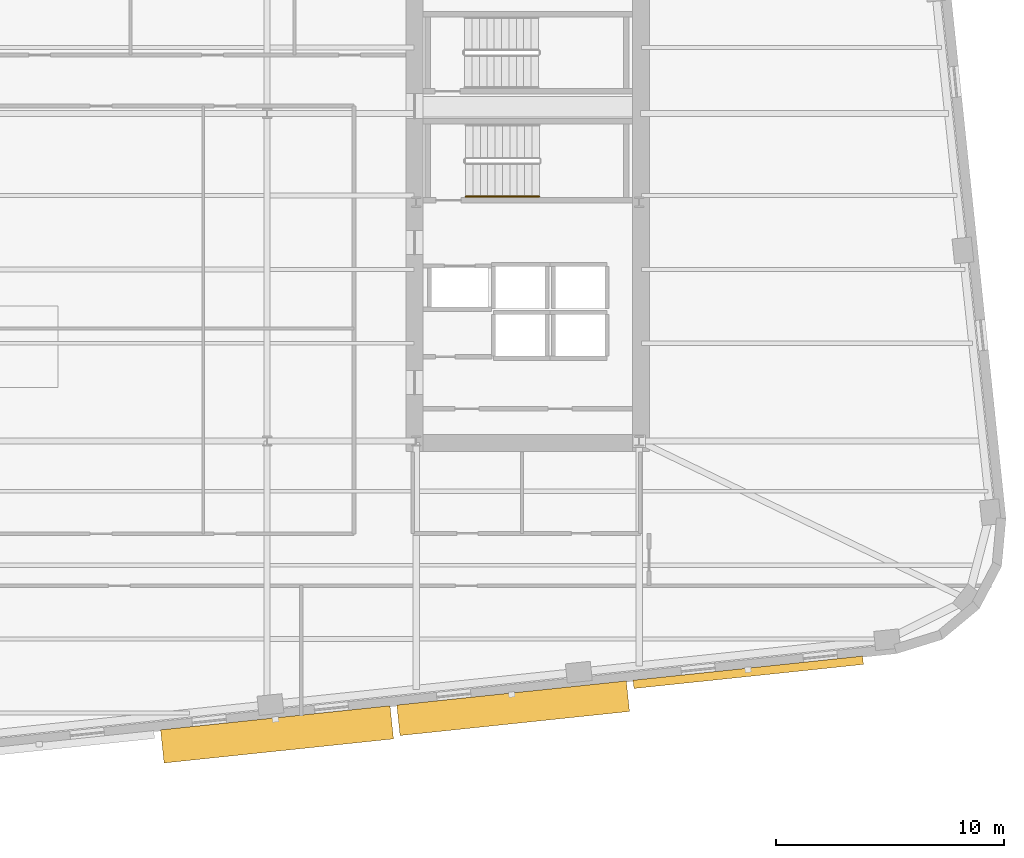
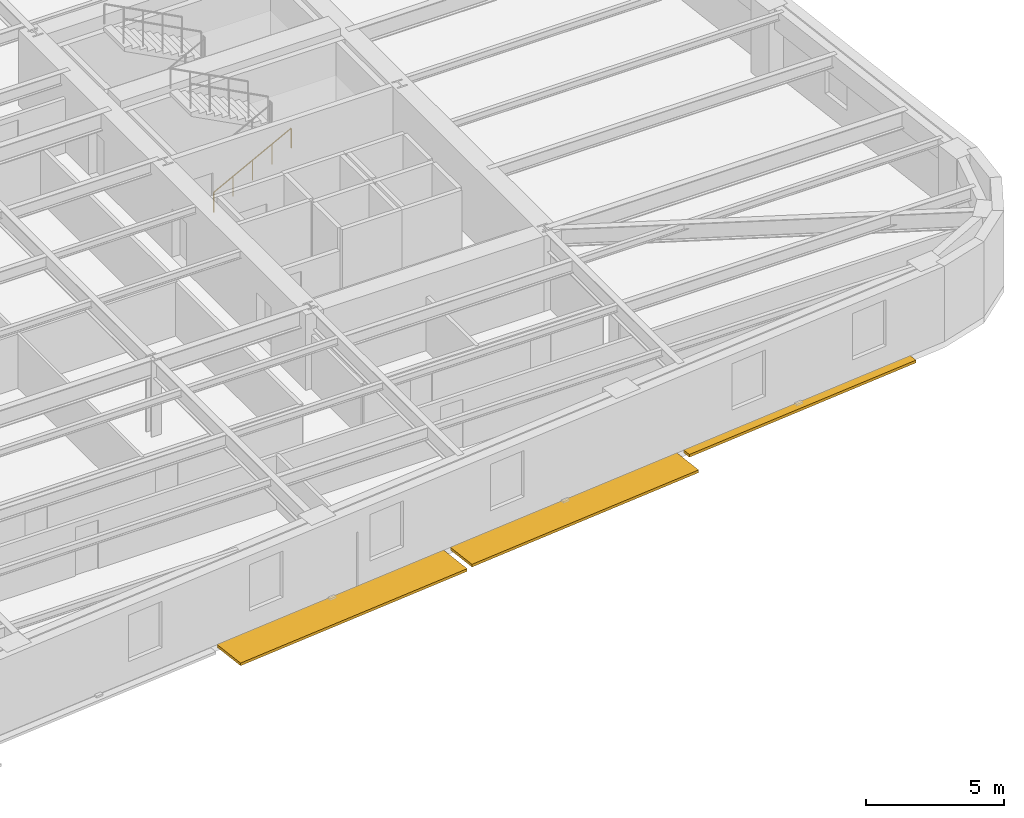
# One storey, part 9 of 12: 3 shading devices, 1 railing.
"""IFC4 building model written with IfcOpenShell, lengths in metres."""

import ifcopenshell
import ifcopenshell.guid

model = None  # the IFC model being written
_history = None  # IfcOwnerHistory: only IFC2X3 demands one
_inside = {}  # id of a spatial element -> (the spatial element, [elements in it])
_under = {}  # id of a project, library or spatial element -> (it, [spatial elements below it])
_declared = {}  # id of a project -> (the project, [libraries it declares])
_typed = {}  # id of a type object -> (the type object, [elements of that type])
_made_of = {}  # id of a material, layer set ... -> (it, [elements and type objects made of it])


def new_model(schema):
    """Start an empty IFC model of exactly this schema.

    Asked for "IFC4X3", IfcOpenShell would pick the latest addendum, in which some entities
    have other attributes; the version numbers below select the first issue.
    IFC2X3 requires an IfcOwnerHistory on every rooted entity: one is made here for all.
    """
    global model, _history
    if schema == "IFC4X3":
        model = ifcopenshell.file(schema_version=(4, 3, 0, 0))
    else:
        model = ifcopenshell.file(schema=schema)
    _inside.clear()
    _under.clear()
    _declared.clear()
    _typed.clear()
    _made_of.clear()
    _history = None
    if model.schema == "IFC2X3":
        org = make("IfcOrganization", Name="unknown")
        user = make(
            "IfcPersonAndOrganization",
            ThePerson=make("IfcPerson", FamilyName="unknown"),
            TheOrganization=org,
        )
        app = make(
            "IfcApplication",
            ApplicationDeveloper=org,
            Version="unknown",
            ApplicationFullName="unknown",
            ApplicationIdentifier="unknown",
        )
        _history = make(
            "IfcOwnerHistory",
            OwningUser=user,
            OwningApplication=app,
            ChangeAction="ADDED",
            CreationDate=0,
        )
    return model


def make(cls, **values):
    """One entity of the class cls with the attributes given. An attribute that is None is left unset."""
    return model.create_entity(
        cls, **{name: value for name, value in values.items() if value is not None}
    )


def rooted(cls, **values):
    """An entity with a GlobalId (a new one), such as an element, a storey or a relation."""
    return make(cls, GlobalId=ifcopenshell.guid.new(), OwnerHistory=_history, **values)


def si_unit(unit_type, name, prefix=None):
    """IfcSIUnit, for example si_unit("LENGTHUNIT", "METRE", prefix="MILLI")."""
    return make("IfcSIUnit", UnitType=unit_type, Prefix=prefix, Name=name)


def assignment(units):
    """IfcUnitAssignment: the units of a project."""
    return None if units is None else make("IfcUnitAssignment", Units=units)


def point(xyz):
    """IfcCartesianPoint."""
    return None if xyz is None else make("IfcCartesianPoint", Coordinates=xyz)


def direction(xyz):
    """IfcDirection."""
    return None if xyz is None else make("IfcDirection", DirectionRatios=xyz)


def frame(location, z_axis=None, x_axis=None):
    """IfcAxis2Placement3D, a coordinate frame: its origin and axes. An axis left out is left unset."""
    return make(
        "IfcAxis2Placement3D",
        Location=point(location),
        Axis=direction(z_axis),
        RefDirection=direction(x_axis),
    )


def frame_2d(location, x_axis=None):
    """IfcAxis2Placement2D, a coordinate frame in the plane: its origin and x axis."""
    return make(
        "IfcAxis2Placement2D", Location=point(location), RefDirection=direction(x_axis)
    )


def origin():
    """The frame at (0, 0, 0) with its axes left unset."""
    return frame((0.0, 0.0, 0.0))


def origin_2d():
    """The frame at (0, 0) in the plane with its x axis left unset."""
    return frame_2d((0.0, 0.0))


def place(relative_to, where):
    """IfcLocalPlacement: puts the frame where relative to a parent placement (None: the world)."""
    return make(
        "IfcLocalPlacement", PlacementRelTo=relative_to, RelativePlacement=where
    )


def context(
    kind, dimensions, precision=None, world=None, true_north=None, identifier=None
):
    """IfcGeometricRepresentationContext, for example the 3D "Model" context."""
    return make(
        "IfcGeometricRepresentationContext",
        ContextIdentifier=identifier,
        ContextType=kind,
        CoordinateSpaceDimension=dimensions,
        Precision=precision,
        WorldCoordinateSystem=world,
        TrueNorth=true_north,
    )


def subcontext(parent, identifier, kind, view, scale=None):
    """IfcGeometricRepresentationSubContext, for example "Body" below "Model"."""
    return make(
        "IfcGeometricRepresentationSubContext",
        ContextIdentifier=identifier,
        ContextType=kind,
        ParentContext=parent,
        TargetScale=scale,
        TargetView=view,
    )


def project(units=None, contexts=None):
    """IfcProject with its units and contexts."""
    return rooted(
        "IfcProject",
        Name="project",
        RepresentationContexts=contexts,
        UnitsInContext=assignment(units),
    )


def spatial(cls, under=None, at=None, **own):
    """A site, building, storey or space (cls), placed at a placement, below another one or the project."""
    s = rooted(cls, ObjectPlacement=at, **own)
    if under is not None:
        _under.setdefault(under.id(), (under, []))[1].append(s)
    return s


def profile(cls, at=None, kind="AREA", **sizes):
    """A parametric profile (cls). Its sizes go by their IFC names, for example OverallWidth=200.0."""
    return make(cls, ProfileType=kind, Position=at, **sizes)


def rectangle(**sizes):
    """IfcRectangleProfileDef."""
    return profile("IfcRectangleProfileDef", **sizes)


def circle(**sizes):
    """IfcCircleProfileDef."""
    return profile("IfcCircleProfileDef", **sizes)


def extrude(swept, where, along, depth):
    """IfcExtrudedAreaSolid: the profile swept, set in the frame where, extruded along a direction by depth."""
    return make(
        "IfcExtrudedAreaSolid",
        SweptArea=swept,
        Position=where,
        ExtrudedDirection=direction(along),
        Depth=depth,
    )


def shape(context_of_items, identifier, shape_type, items):
    """IfcShapeRepresentation: the items that make up one representation, for example the "Body"."""
    return make(
        "IfcShapeRepresentation",
        ContextOfItems=context_of_items,
        RepresentationIdentifier=identifier,
        RepresentationType=shape_type,
        Items=items,
    )


def material(Name=None, Category=None):
    """IfcMaterial."""
    return make("IfcMaterial", Name=Name, Category=Category)


def made_of(thing, what):
    """Note that an element or type object is made of a material, layer set ...; save() writes the relation."""
    if what is not None:
        _made_of.setdefault(what.id(), (what, []))[1].append(thing)
    return thing


def type_object(cls, material=None, **own):
    """A type object (cls), such as IfcWallType, which elements share."""
    return made_of(rooted(cls, **own), material)


def element(
    cls,
    number,
    at=None,
    inside=None,
    cuts=None,
    type_object=None,
    material=None,
    context=None,
    identifier="Body",
    shape_type=None,
    held_by="IfcProductDefinitionShape",
    body=None,
    shapes=None,
    **own,
):
    """One element of the class cls, such as IfcWall. Its Tag is "e" and its number.

    at: its placement. inside: the storey or other place that contains it. cuts: it is an
    opening in that element (IfcRelVoidsElement). A single representation is given by context,
    identifier, shape_type and body (its items); several are given by shapes. held_by: the class
    of the entity that holds the representations. save() writes the other relations.
    """
    e = rooted(cls, Tag="e%d" % number, ObjectPlacement=at, **own)
    if body is not None:
        shapes = [shape(context, identifier, shape_type, body)]
    if shapes is not None:
        e.Representation = make(held_by, Representations=shapes)
    if inside is not None:
        _inside.setdefault(inside.id(), (inside, []))[1].append(e)
    if cuts is not None:
        rooted(
            "IfcRelVoidsElement", RelatingBuildingElement=cuts, RelatedOpeningElement=e
        )
    if type_object is not None:
        _typed.setdefault(type_object.id(), (type_object, []))[1].append(e)
    return made_of(e, material)


def aggregate(whole, parts):
    """IfcRelAggregates: a whole, such as a stair, and the parts it consists of."""
    return rooted("IfcRelAggregates", RelatingObject=whole, RelatedObjects=parts)


def save(model, path):
    """Write the relations noted so far, then the file.

    IfcRelAggregates (storeys below a building ...), IfcRelContainedInSpatialStructure (elements
    in a storey), IfcRelDefinesByType, IfcRelAssociatesMaterial and IfcRelDeclares: one each for
    every whole, place, type object, material and project.
    """
    for whole, parts in _under.values():
        aggregate(whole, parts)
    for where, things in _inside.values():
        rooted(
            "IfcRelContainedInSpatialStructure",
            RelatedElements=things,
            RelatingStructure=where,
        )
    for kind, things in _typed.values():
        rooted("IfcRelDefinesByType", RelatedObjects=things, RelatingType=kind)
    for what, things in _made_of.values():
        rooted("IfcRelAssociatesMaterial", RelatedObjects=things, RelatingMaterial=what)
    for by, libraries in _declared.values():
        rooted("IfcRelDeclares", RelatingContext=by, RelatedDefinitions=libraries)
    model.write(path)


model = new_model("IFC4")

# Units and contexts
model_context = context("Model", 3, precision=1e-05, world=origin(), true_north=direction((0.0, 1.0)))
body_context = subcontext(model_context, "Body", "Model", "MODEL_VIEW")
ifc_project = project(units=[si_unit("LENGTHUNIT", "METRE"), si_unit("AREAUNIT", "SQUARE_METRE"), si_unit("VOLUMEUNIT", "CUBIC_METRE"), si_unit("PLANEANGLEUNIT", "RADIAN"), si_unit("MASSUNIT", "GRAM", prefix="KILO")], contexts=[model_context])

# Site, building, storey
site_placement = place(None, origin())
site = spatial("IfcSite", under=ifc_project, at=site_placement, CompositionType="ELEMENT")
building_placement = place(site_placement, origin())
building = spatial("IfcBuilding", under=site, at=building_placement, Name="Kolvaren Arena Tower", CompositionType="ELEMENT")
storey_placement = place(building_placement, frame((0.0, 0.0, 149.5)))
storey = spatial("IfcBuildingStorey", under=building, at=storey_placement, Name="L35", CompositionType="ELEMENT", Elevation=149.5)

# Railing
ifc_material_1 = material(Name="Brushed stainless steel handrail", Category="steel")
railing_type = type_object("IfcRailingType", Name="HRAIL-900", PredefinedType="HANDRAIL", material=ifc_material_1)
railing_placement = place(storey_placement, frame((52.719970703125, 30.199951171875, 0.17041015625)))
element("IfcRailing", 1, at=railing_placement, inside=storey, type_object=railing_type, Name="L35 ST-E1 stair handrail 1", PredefinedType="HANDRAIL", context=body_context, shape_type="SweptSolid", body=[
    extrude(circle(Radius=0.02392578125, at=origin_2d()), frame((0.0, 0.0, 0.8759765625), z_axis=(0.884993431791, 0.0, 0.465603506952), x_axis=(0.0, 1.0, 0.0)), (0.0, 0.0, 1.0), 3.6611328125),
    extrude(circle(Radius=0.02099609375, at=origin_2d()), origin(), (0.0, 0.0, 1.0), 0.851806640625),
    extrude(circle(Radius=0.02099609375, at=origin_2d()), frame((0.81005859375, 0.0, 0.42626953125)), (0.0, 0.0, 1.0), 0.851806640625),
    extrude(circle(Radius=0.02099609375, at=origin_2d()), frame((1.6201171875, 0.0, 0.852294921875)), (0.0, 0.0, 1.0), 0.851806640625),
    extrude(circle(Radius=0.02099609375, at=origin_2d()), frame((2.429931640625, 0.0, 1.2783203125)), (0.0, 0.0, 1.0), 0.851806640625),
    extrude(circle(Radius=0.02099609375, at=origin_2d()), frame((3.239990234375, 0.0, 1.70458984375)), (0.0, 0.0, 1.0), 0.851806640625),
])

# Shading devices
ifc_material_2 = material(Name="Architectural precast GFRC and anodised aluminium sunshade", Category="concrete")
shading_device_type_1 = type_object("IfcShadingDeviceType", Name="SHAD-SINE-A", PredefinedType="USERDEFINED", material=ifc_material_2)
shading_device_1_placement = place(storey_placement, frame((65.143310546875, 9.29150390625, -0.14013671875), z_axis=(0.0, 0.0, 1.0), x_axis=(-0.994522077803, -0.104526727499, 0.0)))
element("IfcShadingDevice", 2, at=shading_device_1_placement, inside=storey, type_object=shading_device_type_1, Name="Sinusoidal Slab-Edge Sunshade Louvre (L35)", ObjectType="LOUVRE", PredefinedType="USERDEFINED", context=body_context, shape_type="SweptSolid", body=[
    extrude(rectangle(XDim=10.139892578125, YDim=0.3681640625, at=origin_2d()), origin(), (0.0, 0.0, 1.0), 0.1201171875),
])
shading_device_type_2 = type_object("IfcShadingDeviceType", Name="SHAD-SINE-B", PredefinedType="JALOUSIE", material=ifc_material_2)
shading_device_2_placement = place(storey_placement, frame((54.81201171875, 7.7119140625, -0.14013671875), z_axis=(0.0, 0.0, 1.0), x_axis=(-0.994522077803, -0.104526727499, 0.0)))
element("IfcShadingDevice", 3, at=shading_device_2_placement, inside=storey, type_object=shading_device_type_2, Name="Sinusoidal Slab-Edge Sunshade Louvre (L35)", PredefinedType="JALOUSIE", context=body_context, shape_type="SweptSolid", body=[
    extrude(rectangle(XDim=10.139892578125, YDim=1.349853515625, at=origin_2d()), origin(), (0.0, 0.0, 1.0), 0.1201171875),
])
shading_device_3_placement = place(storey_placement, frame((44.435302734375, 6.56298828125, -0.14013671875), z_axis=(0.0, 0.0, 1.0), x_axis=(-0.994522077803, -0.104526727499, 0.0)))
element("IfcShadingDevice", 4, at=shading_device_3_placement, inside=storey, type_object=shading_device_type_2, Name="Sinusoidal Slab-Edge Sunshade Louvre (L35)", PredefinedType="JALOUSIE", context=body_context, shape_type="SweptSolid", body=[
    extrude(rectangle(XDim=10.139892578125, YDim=1.4658203125, at=origin_2d()), origin(), (0.0, 0.0, 1.0), 0.1201171875),
])

save(model, "model.ifc")
